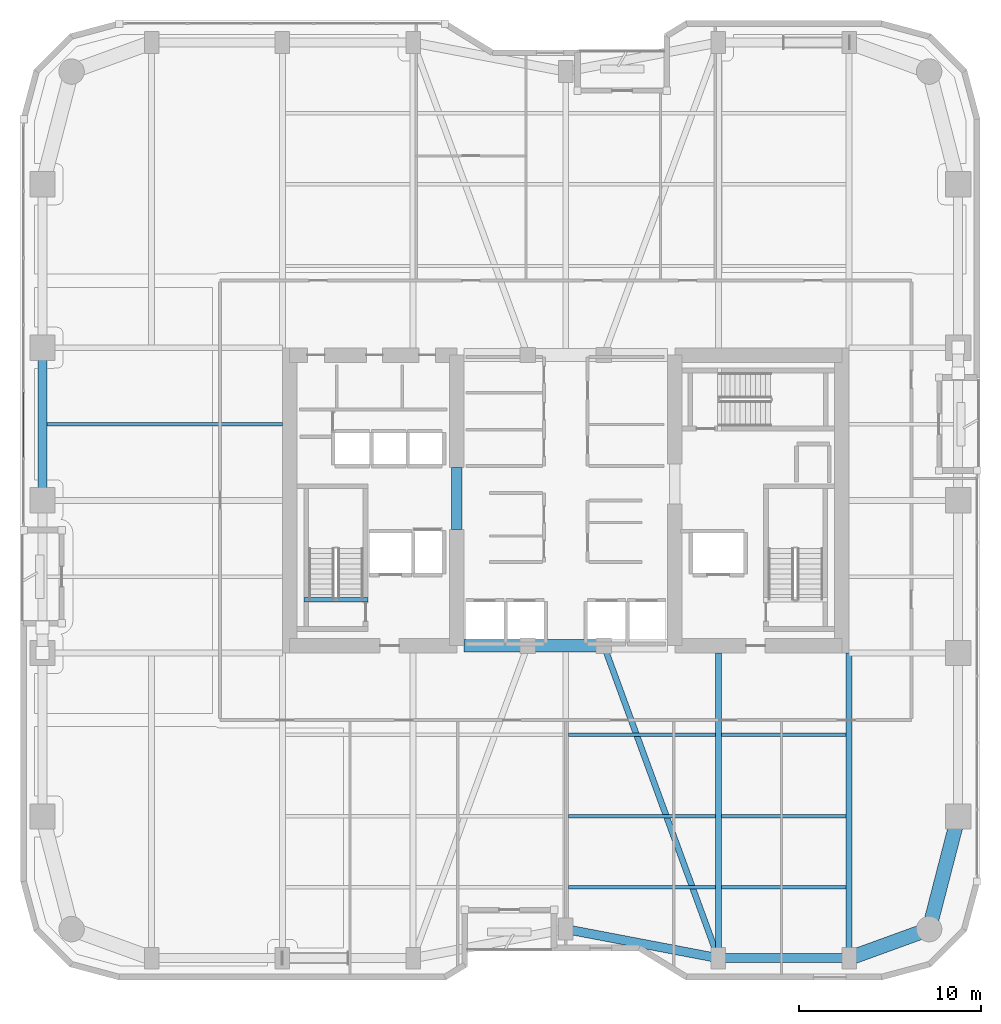
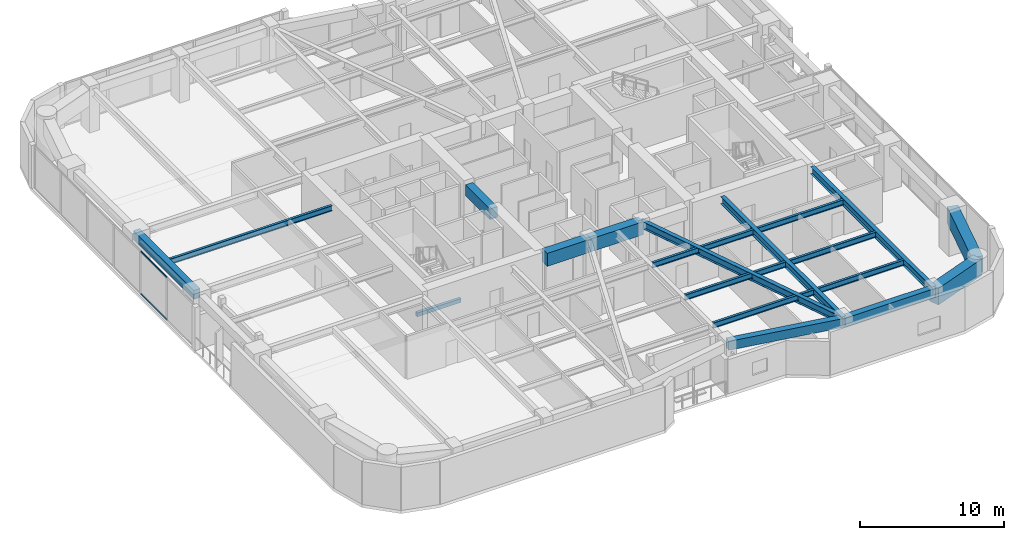
# One storey, part 3 of 24: 19 beams, 2 members, 1 element without a shape of its own.
"""IFC4 building model written with IfcOpenShell, lengths in metres."""

import ifcopenshell
import ifcopenshell.guid

model = None  # the IFC model being written
_history = None  # IfcOwnerHistory: only IFC2X3 demands one
_inside = {}  # id of a spatial element -> (the spatial element, [elements in it])
_under = {}  # id of a project, library or spatial element -> (it, [spatial elements below it])
_declared = {}  # id of a project -> (the project, [libraries it declares])
_typed = {}  # id of a type object -> (the type object, [elements of that type])
_made_of = {}  # id of a material, layer set ... -> (it, [elements and type objects made of it])


def new_model(schema):
    """Start an empty IFC model of exactly this schema.

    Asked for "IFC4X3", IfcOpenShell would pick the latest addendum, in which some entities
    have other attributes; the version numbers below select the first issue.
    IFC2X3 requires an IfcOwnerHistory on every rooted entity: one is made here for all.
    """
    global model, _history
    if schema == "IFC4X3":
        model = ifcopenshell.file(schema_version=(4, 3, 0, 0))
    else:
        model = ifcopenshell.file(schema=schema)
    _inside.clear()
    _under.clear()
    _declared.clear()
    _typed.clear()
    _made_of.clear()
    _history = None
    if model.schema == "IFC2X3":
        org = make("IfcOrganization", Name="unknown")
        user = make(
            "IfcPersonAndOrganization",
            ThePerson=make("IfcPerson", FamilyName="unknown"),
            TheOrganization=org,
        )
        app = make(
            "IfcApplication",
            ApplicationDeveloper=org,
            Version="unknown",
            ApplicationFullName="unknown",
            ApplicationIdentifier="unknown",
        )
        _history = make(
            "IfcOwnerHistory",
            OwningUser=user,
            OwningApplication=app,
            ChangeAction="ADDED",
            CreationDate=0,
        )
    return model


def make(cls, **values):
    """One entity of the class cls with the attributes given. An attribute that is None is left unset."""
    return model.create_entity(
        cls, **{name: value for name, value in values.items() if value is not None}
    )


def rooted(cls, **values):
    """An entity with a GlobalId (a new one), such as an element, a storey or a relation."""
    return make(cls, GlobalId=ifcopenshell.guid.new(), OwnerHistory=_history, **values)


def si_unit(unit_type, name, prefix=None):
    """IfcSIUnit, for example si_unit("LENGTHUNIT", "METRE", prefix="MILLI")."""
    return make("IfcSIUnit", UnitType=unit_type, Prefix=prefix, Name=name)


def assignment(units):
    """IfcUnitAssignment: the units of a project."""
    return None if units is None else make("IfcUnitAssignment", Units=units)


def point(xyz):
    """IfcCartesianPoint."""
    return None if xyz is None else make("IfcCartesianPoint", Coordinates=xyz)


def direction(xyz):
    """IfcDirection."""
    return None if xyz is None else make("IfcDirection", DirectionRatios=xyz)


def frame(location, z_axis=None, x_axis=None):
    """IfcAxis2Placement3D, a coordinate frame: its origin and axes. An axis left out is left unset."""
    return make(
        "IfcAxis2Placement3D",
        Location=point(location),
        Axis=direction(z_axis),
        RefDirection=direction(x_axis),
    )


def frame_2d(location, x_axis=None):
    """IfcAxis2Placement2D, a coordinate frame in the plane: its origin and x axis."""
    return make(
        "IfcAxis2Placement2D", Location=point(location), RefDirection=direction(x_axis)
    )


def origin():
    """The frame at (0, 0, 0) with its axes left unset."""
    return frame((0.0, 0.0, 0.0))


def origin_2d():
    """The frame at (0, 0) in the plane with its x axis left unset."""
    return frame_2d((0.0, 0.0))


def place(relative_to, where):
    """IfcLocalPlacement: puts the frame where relative to a parent placement (None: the world)."""
    return make(
        "IfcLocalPlacement", PlacementRelTo=relative_to, RelativePlacement=where
    )


def context(
    kind, dimensions, precision=None, world=None, true_north=None, identifier=None
):
    """IfcGeometricRepresentationContext, for example the 3D "Model" context."""
    return make(
        "IfcGeometricRepresentationContext",
        ContextIdentifier=identifier,
        ContextType=kind,
        CoordinateSpaceDimension=dimensions,
        Precision=precision,
        WorldCoordinateSystem=world,
        TrueNorth=true_north,
    )


def subcontext(parent, identifier, kind, view, scale=None):
    """IfcGeometricRepresentationSubContext, for example "Body" below "Model"."""
    return make(
        "IfcGeometricRepresentationSubContext",
        ContextIdentifier=identifier,
        ContextType=kind,
        ParentContext=parent,
        TargetScale=scale,
        TargetView=view,
    )


def project(units=None, contexts=None):
    """IfcProject with its units and contexts."""
    return rooted(
        "IfcProject",
        Name="project",
        RepresentationContexts=contexts,
        UnitsInContext=assignment(units),
    )


def spatial(cls, under=None, at=None, **own):
    """A site, building, storey or space (cls), placed at a placement, below another one or the project."""
    s = rooted(cls, ObjectPlacement=at, **own)
    if under is not None:
        _under.setdefault(under.id(), (under, []))[1].append(s)
    return s


def profile(cls, at=None, kind="AREA", **sizes):
    """A parametric profile (cls). Its sizes go by their IFC names, for example OverallWidth=200.0."""
    return make(cls, ProfileType=kind, Position=at, **sizes)


def rectangle(**sizes):
    """IfcRectangleProfileDef."""
    return profile("IfcRectangleProfileDef", **sizes)


def hollow_rectangle(**sizes):
    """IfcRectangleHollowProfileDef."""
    return profile("IfcRectangleHollowProfileDef", **sizes)


def i_section(**sizes):
    """IfcIShapeProfileDef."""
    return profile("IfcIShapeProfileDef", **sizes)


def extrude(swept, where, along, depth):
    """IfcExtrudedAreaSolid: the profile swept, set in the frame where, extruded along a direction by depth."""
    return make(
        "IfcExtrudedAreaSolid",
        SweptArea=swept,
        Position=where,
        ExtrudedDirection=direction(along),
        Depth=depth,
    )


def shape(context_of_items, identifier, shape_type, items):
    """IfcShapeRepresentation: the items that make up one representation, for example the "Body"."""
    return make(
        "IfcShapeRepresentation",
        ContextOfItems=context_of_items,
        RepresentationIdentifier=identifier,
        RepresentationType=shape_type,
        Items=items,
    )


def material(Name=None, Category=None):
    """IfcMaterial."""
    return make("IfcMaterial", Name=Name, Category=Category)


def layer(
    of_material, thickness, ventilated=None, Name=None, Category=None, Priority=None
):
    """IfcMaterialLayer: one layer of a wall or slab, of a material (None: an air gap)."""
    return make(
        "IfcMaterialLayer",
        Material=of_material,
        LayerThickness=thickness,
        IsVentilated=ventilated,
        Name=Name,
        Category=Category,
        Priority=Priority,
    )


def layer_set(layers, Name=None):
    """IfcMaterialLayerSet."""
    return make("IfcMaterialLayerSet", MaterialLayers=layers, LayerSetName=Name)


def material_profile(
    of_material, cross_section, Name=None, Category=None, Priority=None
):
    """IfcMaterialProfile: a cross section and its material."""
    return make(
        "IfcMaterialProfile",
        Name=Name,
        Material=of_material,
        Profile=cross_section,
        Priority=Priority,
        Category=Category,
    )


def profile_set(profiles, Name=None, composite=None):
    """IfcMaterialProfileSet."""
    return make(
        "IfcMaterialProfileSet",
        Name=Name,
        MaterialProfiles=profiles,
        CompositeProfile=composite,
    )


def made_of(thing, what):
    """Note that an element or type object is made of a material, layer set ...; save() writes the relation."""
    if what is not None:
        _made_of.setdefault(what.id(), (what, []))[1].append(thing)
    return thing


def type_object(cls, material=None, **own):
    """A type object (cls), such as IfcWallType, which elements share."""
    return made_of(rooted(cls, **own), material)


def element(
    cls,
    number,
    at=None,
    inside=None,
    cuts=None,
    type_object=None,
    material=None,
    context=None,
    identifier="Body",
    shape_type=None,
    held_by="IfcProductDefinitionShape",
    body=None,
    shapes=None,
    **own,
):
    """One element of the class cls, such as IfcWall. Its Tag is "e" and its number.

    at: its placement. inside: the storey or other place that contains it. cuts: it is an
    opening in that element (IfcRelVoidsElement). A single representation is given by context,
    identifier, shape_type and body (its items); several are given by shapes. held_by: the class
    of the entity that holds the representations. save() writes the other relations.
    """
    e = rooted(cls, Tag="e%d" % number, ObjectPlacement=at, **own)
    if body is not None:
        shapes = [shape(context, identifier, shape_type, body)]
    if shapes is not None:
        e.Representation = make(held_by, Representations=shapes)
    if inside is not None:
        _inside.setdefault(inside.id(), (inside, []))[1].append(e)
    if cuts is not None:
        rooted(
            "IfcRelVoidsElement", RelatingBuildingElement=cuts, RelatedOpeningElement=e
        )
    if type_object is not None:
        _typed.setdefault(type_object.id(), (type_object, []))[1].append(e)
    return made_of(e, material)


def aggregate(whole, parts):
    """IfcRelAggregates: a whole, such as a stair, and the parts it consists of."""
    return rooted("IfcRelAggregates", RelatingObject=whole, RelatedObjects=parts)


def save(model, path):
    """Write the relations noted so far, then the file.

    IfcRelAggregates (storeys below a building ...), IfcRelContainedInSpatialStructure (elements
    in a storey), IfcRelDefinesByType, IfcRelAssociatesMaterial and IfcRelDeclares: one each for
    every whole, place, type object, material and project.
    """
    for whole, parts in _under.values():
        aggregate(whole, parts)
    for where, things in _inside.values():
        rooted(
            "IfcRelContainedInSpatialStructure",
            RelatedElements=things,
            RelatingStructure=where,
        )
    for kind, things in _typed.values():
        rooted("IfcRelDefinesByType", RelatedObjects=things, RelatingType=kind)
    for what, things in _made_of.values():
        rooted("IfcRelAssociatesMaterial", RelatedObjects=things, RelatingMaterial=what)
    for by, libraries in _declared.values():
        rooted("IfcRelDeclares", RelatingContext=by, RelatedDefinitions=libraries)
    model.write(path)


model = new_model("IFC4")

# Units and contexts
model_context = context("Model", 3, precision=1e-05, world=origin(), true_north=direction((0.0, 1.0)))
body_context = subcontext(model_context, "Body", "Model", "MODEL_VIEW")
ifc_project = project(units=[si_unit("LENGTHUNIT", "METRE"), si_unit("AREAUNIT", "SQUARE_METRE"), si_unit("VOLUMEUNIT", "CUBIC_METRE"), si_unit("PLANEANGLEUNIT", "RADIAN"), si_unit("MASSUNIT", "GRAM", prefix="KILO")], contexts=[model_context])

# Site, building, storey
site_placement = place(None, origin())
site = spatial("IfcSite", under=ifc_project, at=site_placement, CompositionType="ELEMENT")
building_placement = place(site_placement, origin())
building = spatial("IfcBuilding", under=site, at=building_placement, Name="Kiyonajd Concourse Tower", CompositionType="ELEMENT")
storey_placement = place(building_placement, frame((0.0, 0.0, 97.5)))
storey = spatial("IfcBuildingStorey", under=building, at=storey_placement, Name="L25", CompositionType="ELEMENT", Elevation=97.5)

# Beams
ifc_material_1 = material(Name="Concrete C70/85", Category="concrete")
ifc_material_profile_1 = material_profile(ifc_material_1, rectangle(XDim=0.699951171875, YDim=1.10009765625, at=origin_2d()), Name="RCBM-700x1100")
ifc_profile_set_1 = profile_set([ifc_material_profile_1], Name="Concrete C70/85")
beam_type_1 = type_object("IfcBeamType", Name="BM-COUP-1100", PredefinedType="LINTEL", material=ifc_profile_set_1)
beam_1_placement = place(storey_placement, frame((42.39990234375, 28.0, 3.090087890625), z_axis=(1.0, 0.0, 0.0), x_axis=(0.0, 1.0, 0.0)))
element("IfcBeam", 1, at=beam_1_placement, inside=storey, type_object=beam_type_1, Name="L25 Core Coupling Beam S1", PredefinedType="LINTEL", context=body_context, shape_type="SweptSolid", body=[
    extrude(rectangle(XDim=0.699951171875, YDim=1.10009765625, at=origin_2d()), origin(), (0.0, 0.0, 1.0), 3.5),
])
beam_2_placement = place(storey_placement, frame((45.89990234375, 28.0, 3.090087890625), z_axis=(1.0, 0.0, 0.0), x_axis=(0.0, 1.0, 0.0)))
element("IfcBeam", 2, at=beam_2_placement, inside=storey, type_object=beam_type_1, Name="L25 Core Coupling Beam S2", PredefinedType="LINTEL", context=body_context, shape_type="SweptSolid", body=[
    extrude(rectangle(XDim=0.699951171875, YDim=1.10009765625, at=origin_2d()), origin(), (0.0, 0.0, 1.0), 4.2001953125),
])
ifc_material_2 = material(Name="Concrete C60/75", Category="concrete")
ifc_material_profile_2 = material_profile(ifc_material_2, rectangle(XDim=0.60009765625, YDim=0.89990234375, at=origin_2d()), Name="RCBM-600x900")
ifc_profile_set_2 = profile_set([ifc_material_profile_2], Name="Concrete C60/75")
beam_type_2 = type_object("IfcBeamType", Name="BM-COUP-900", PredefinedType="LINTEL", material=ifc_profile_set_2)
beam_3_placement = place(storey_placement, frame((42.0, 34.39990234375, 3.090087890625), z_axis=(0.0, 1.0, 0.0), x_axis=(-1.0, 0.0, 0.0)))
element("IfcBeam", 3, at=beam_3_placement, inside=storey, type_object=beam_type_2, Name="L25 West Core Throat Coupling Lintel", PredefinedType="LINTEL", context=body_context, shape_type="SweptSolid", body=[
    extrude(rectangle(XDim=0.60009765625, YDim=0.89990234375, at=origin_2d()), origin(), (0.0, 0.0, 1.0), 3.400146484375),
])
ifc_material_3 = material(Name="Steel ASTM A992 Grade 50", Category="steel")
ifc_material_profile_3 = material_profile(ifc_material_3, i_section(OverallWidth=0.19189453125, OverallDepth=0.462890625, WebThickness=0.010498046875, FlangeThickness=0.017578125, at=origin_2d()), Name="W460X89")
ifc_profile_set_3 = profile_set([ifc_material_profile_3], Name="Steel ASTM A992 Grade 50")
beam_type_3 = type_object("IfcBeamType", Name="BM-JST-460B", PredefinedType="JOIST", material=ifc_profile_set_3)
beam_4_placement = place(storey_placement, frame((48.16357421875, 14.699951171875, 3.408447265625), z_axis=(1.0, 0.0, 0.0), x_axis=(0.0, 1.0, 0.0)))
element("IfcBeam", 4, at=beam_4_placement, inside=storey, type_object=beam_type_3, Name="L25 Secondary Floor Joist", PredefinedType="JOIST", context=body_context, shape_type="SweptSolid", body=[
    extrude(i_section(OverallWidth=0.19189453125, OverallDepth=0.462890625, WebThickness=0.010498046875, FlangeThickness=0.017578125, at=origin_2d()), origin(), (0.0, 0.0, 1.0), 8.072998046875),
])
beam_5_placement = place(storey_placement, frame((56.5634765625, 14.699951171875, 3.408447265625), z_axis=(1.0, 0.0, 0.0), x_axis=(0.0, 1.0, 0.0)))
element("IfcBeam", 5, at=beam_5_placement, inside=storey, type_object=beam_type_3, Name="L25 Secondary Floor Joist", PredefinedType="JOIST", context=body_context, shape_type="SweptSolid", body=[
    extrude(i_section(OverallWidth=0.19189453125, OverallDepth=0.462890625, WebThickness=0.010498046875, FlangeThickness=0.017578125, at=origin_2d()), origin(), (0.0, 0.0, 1.0), 6.873046875),
])
beam_6_placement = place(storey_placement, frame((48.16357421875, 18.60009765625, 3.408447265625), z_axis=(1.0, 0.0, 0.0), x_axis=(0.0, 1.0, 0.0)))
element("IfcBeam", 6, at=beam_6_placement, inside=storey, type_object=beam_type_3, Name="L25 Secondary Floor Joist", PredefinedType="JOIST", context=body_context, shape_type="SweptSolid", body=[
    extrude(i_section(OverallWidth=0.19189453125, OverallDepth=0.462890625, WebThickness=0.010498046875, FlangeThickness=0.017578125, at=origin_2d()), origin(), (0.0, 0.0, 1.0), 8.072998046875),
])
beam_7_placement = place(storey_placement, frame((56.5634765625, 18.60009765625, 3.408447265625), z_axis=(1.0, 0.0, 0.0), x_axis=(0.0, 1.0, 0.0)))
element("IfcBeam", 7, at=beam_7_placement, inside=storey, type_object=beam_type_3, Name="L25 Secondary Floor Joist", PredefinedType="JOIST", context=body_context, shape_type="SweptSolid", body=[
    extrude(i_section(OverallWidth=0.19189453125, OverallDepth=0.462890625, WebThickness=0.010498046875, FlangeThickness=0.017578125, at=origin_2d()), origin(), (0.0, 0.0, 1.0), 6.873046875),
])
beam_8_placement = place(storey_placement, frame((48.16357421875, 23.10009765625, 3.408447265625), z_axis=(1.0, 0.0, 0.0), x_axis=(0.0, 1.0, 0.0)))
element("IfcBeam", 8, at=beam_8_placement, inside=storey, type_object=beam_type_3, Name="L25 Secondary Floor Joist", PredefinedType="JOIST", context=body_context, shape_type="SweptSolid", body=[
    extrude(i_section(OverallWidth=0.19189453125, OverallDepth=0.462890625, WebThickness=0.010498046875, FlangeThickness=0.017578125, at=origin_2d()), origin(), (0.0, 0.0, 1.0), 8.072998046875),
])
beam_9_placement = place(storey_placement, frame((56.5634765625, 23.10009765625, 3.408447265625), z_axis=(1.0, 0.0, 0.0), x_axis=(0.0, 1.0, 0.0)))
element("IfcBeam", 9, at=beam_9_placement, inside=storey, type_object=beam_type_3, Name="L25 Secondary Floor Joist", PredefinedType="JOIST", context=body_context, shape_type="SweptSolid", body=[
    extrude(i_section(OverallWidth=0.19189453125, OverallDepth=0.462890625, WebThickness=0.010498046875, FlangeThickness=0.017578125, at=origin_2d()), origin(), (0.0, 0.0, 1.0), 6.873046875),
])
beam_10_placement = place(storey_placement, frame((19.449951171875, 40.199951171875, 3.408447265625), z_axis=(1.0, 0.0, 0.0), x_axis=(0.0, 1.0, 0.0)))
element("IfcBeam", 10, at=beam_10_placement, inside=storey, type_object=beam_type_3, Name="L25 West Secondary Floor Joist", PredefinedType="JOIST", context=body_context, shape_type="SweptSolid", body=[
    extrude(i_section(OverallWidth=0.19189453125, OverallDepth=0.462890625, WebThickness=0.010498046875, FlangeThickness=0.017578125, at=origin_2d()), origin(), (0.0, 0.0, 1.0), 12.949951171875),
])
ifc_material_4 = material(Name="Concrete C50/60", Category="concrete")
ifc_material_profile_4 = material_profile(ifc_material_4, rectangle(XDim=0.239990234375, YDim=0.320068359375, at=origin_2d()), Name="RCBM-240x320")
ifc_profile_set_4 = profile_set([ifc_material_profile_4], Name="Concrete C50/60")
beam_type_4 = type_object("IfcBeamType", Name="BM-LNT-250", PredefinedType="LINTEL", material=ifc_profile_set_4)
beam_11_placement = place(storey_placement, frame((33.590087890625, 30.530029296875, -0.159912109375), z_axis=(1.0, 0.0, 0.0), x_axis=(0.0, 1.0, 0.0)))
element("IfcBeam", 11, at=beam_11_placement, inside=storey, type_object=beam_type_4, Name="L25 Stair ST1 Threshold Support Beam", PredefinedType="LINTEL", context=body_context, shape_type="SweptSolid", body=[
    extrude(rectangle(XDim=0.239990234375, YDim=0.320068359375, at=origin_2d()), origin(), (0.0, 0.0, 1.0), 3.52001953125),
])
ifc_material_5 = material(Name="Precast concrete C50/60", Category="concrete")
ifc_material_profile_5 = material_profile(ifc_material_5, rectangle(XDim=0.5, YDim=0.75, at=origin_2d()), Name="RCBM-500x750")
ifc_profile_set_5 = profile_set([ifc_material_profile_5], Name="Precast concrete C50/60")
beam_type_5 = type_object("IfcBeamType", Name="BM-SPAN-RC", PredefinedType="SPANDREL", material=ifc_profile_set_5)
beam_12_placement = place(storey_placement, frame((48.0, 12.39990234375, 3.264892578125), z_axis=(0.982341315253, -0.187097675953, 0.0), x_axis=(0.187097675953, 0.982341315253, 0.0)))
element("IfcBeam", 12, at=beam_12_placement, inside=storey, type_object=beam_type_5, Name="L25 Perimeter Bundled Tube Spandrel", PredefinedType="SPANDREL", context=body_context, shape_type="SweptSolid", body=[
    extrude(rectangle(XDim=0.5, YDim=0.75, at=origin_2d()), origin(), (0.0, 0.0, 1.0), 8.55078125),
])
beam_13_placement = place(storey_placement, frame((56.39990234375, 10.800048828125, 3.264892578125), z_axis=(1.0, 0.0, 0.0), x_axis=(0.0, 1.0, 0.0)))
element("IfcBeam", 13, at=beam_13_placement, inside=storey, type_object=beam_type_5, Name="L25 Perimeter Bundled Tube Spandrel", PredefinedType="SPANDREL", context=body_context, shape_type="SweptSolid", body=[
    extrude(rectangle(XDim=0.5, YDim=0.75, at=origin_2d()), origin(), (0.0, 0.0, 1.0), 7.2001953125),
])
beam_14_placement = place(storey_placement, frame((19.199951171875, 44.39990234375, 3.264892578125), z_axis=(0.0, -1.0, 0.0), x_axis=(1.0, 0.0, 0.0)))
element("IfcBeam", 14, at=beam_14_placement, inside=storey, type_object=beam_type_5, Name="L25 Perimeter Bundled Tube Spandrel", PredefinedType="SPANDREL", context=body_context, shape_type="SweptSolid", body=[
    extrude(rectangle(XDim=0.5, YDim=0.75, at=origin_2d()), origin(), (0.0, 0.0, 1.0), 8.39990234375),
])
ifc_material_profile_6 = material_profile(ifc_material_3, i_section(OverallWidth=0.326904296875, OverallDepth=0.6220703125, WebThickness=0.015380859375, FlangeThickness=0.0244140625, at=origin_2d()), Name="W610X195")
ifc_profile_set_6 = profile_set([ifc_material_profile_6], Name="Steel ASTM A992 Grade 50")
beam_type_6 = type_object("IfcBeamType", Name="BM-TWR-610A", PredefinedType="BEAM", material=ifc_profile_set_6)
beam_15_placement = place(storey_placement, frame((50.10009765625, 28.0, 3.3291015625), z_axis=(0.343925269715, -0.938997022813, 0.0), x_axis=(0.938997022813, 0.343925269715, 0.0)))
element("IfcBeam", 15, at=beam_15_placement, inside=storey, type_object=beam_type_6, Name="L25 Core Tie Girder", PredefinedType="BEAM", context=body_context, shape_type="SweptSolid", body=[
    extrude(i_section(OverallWidth=0.326904296875, OverallDepth=0.6220703125, WebThickness=0.015380859375, FlangeThickness=0.0244140625, at=origin_2d()), origin(), (0.0, 0.0, 1.0), 18.3173828125),
])
for number, where, z_axis, x_axis, name in (
    (16, (56.39990234375, 10.800048828125, 3.3291015625), (0.0, 1.0, 0.0), (-1.0, 0.0, 0.0), "L25 South Lease Girder"),
    (17, (63.60009765625, 10.800048828125, 3.3291015625), (0.0, 1.0, 0.0), (-1.0, 0.0, 0.0), "L25 South Lease Girder"),
):
    element("IfcBeam", number, at=place(storey_placement, frame(where, z_axis=z_axis, x_axis=x_axis)), inside=storey, type_object=beam_type_6, Name=name, PredefinedType="BEAM", context=body_context, shape_type="SweptSolid", body=[
        extrude(i_section(OverallWidth=0.326904296875, OverallDepth=0.6220703125, WebThickness=0.015380859375, FlangeThickness=0.0244140625, at=origin_2d()), origin(), (0.0, 0.0, 1.0), 16.800048828125),
    ])
ifc_material_profile_7 = material_profile(ifc_material_2, rectangle(XDim=0.800048828125, YDim=1.39990234375, at=origin_2d()), Name="RCBM-800x1400")
ifc_profile_set_7 = profile_set([ifc_material_profile_7], Name="Concrete C60/75")
beam_type_7 = type_object("IfcBeamType", Name="BM-XFER-RC", PredefinedType="BEAM", material=ifc_profile_set_7)
beam_16_placement = place(storey_placement, frame((63.60009765625, 10.800048828125, 2.93994140625), z_axis=(0.939801036019, 0.341722127901, 0.0), x_axis=(-0.341722127901, 0.939801036019, 0.0)))
element("IfcBeam", 18, at=beam_16_placement, inside=storey, type_object=beam_type_7, Name="L25 Perimeter Bundled Tube Spandrel", PredefinedType="BEAM", context=body_context, shape_type="SweptSolid", body=[
    extrude(rectangle(XDim=0.800048828125, YDim=1.39990234375, at=origin_2d()), origin(), (0.0, 0.0, 1.0), 4.681640625),
])
beam_17_placement = place(storey_placement, frame((68.0, 12.39990234375, 2.93994140625), z_axis=(0.249884937687, 0.968275538221, 0.0), x_axis=(-0.968275538221, 0.249884937687, 0.0)))
element("IfcBeam", 19, at=beam_17_placement, inside=storey, type_object=beam_type_7, Name="L25 Perimeter Bundled Tube Spandrel", PredefinedType="BEAM", context=body_context, shape_type="SweptSolid", body=[
    extrude(rectangle(XDim=0.800048828125, YDim=1.39990234375, at=origin_2d()), origin(), (0.0, 0.0, 1.0), 6.4033203125),
])

# Curtain wall, members
ifc_material_6 = material(Name="Thermally Broken Anodised Aluminium", Category="aluminium")
ifc_layer = layer(ifc_material_6, 0.179931640625)
ifc_layer_set = layer_set([ifc_layer], Name="Thermally Broken Anodised Aluminium")
curtain_wall_type = type_object("IfcCurtainWallType", Name="CW-SYS-03", PredefinedType="NOTDEFINED", material=ifc_layer_set)
curtain_wall_placement = place(storey_placement, origin())
curtain_wall = element("IfcCurtainWall", 20, at=curtain_wall_placement, inside=storey, type_object=curtain_wall_type, Name="L25 Unitised Curtain Wall CW3", PredefinedType="NOTDEFINED")
ifc_material_profile_8 = material_profile(ifc_material_6, hollow_rectangle(XDim=0.06494140625, YDim=0.139892578125, WallThickness=0.00390625, at=origin_2d()), Name="TRAN-65x140")
ifc_profile_set_8 = profile_set([ifc_material_profile_8], Name="Thermally Broken Anodised Aluminium")
member_type = type_object("IfcMemberType", Name="MB-CW-TRAN1", PredefinedType="USERDEFINED", material=ifc_profile_set_8)
member_1_placement = place(storey_placement, frame((18.159912109375, 38.355712890625, 0.032470703125), z_axis=(0.0, 1.0, 0.0), x_axis=(-1.0, 0.0, 0.0)))
member_1 = element("IfcMember", 21, at=member_1_placement, type_object=member_type, Name="CW3 transom 2.1", ObjectType="TRANSOM", PredefinedType="USERDEFINED", context=body_context, shape_type="SweptSolid", body=[
    extrude(hollow_rectangle(XDim=0.06494140625, YDim=0.139892578125, WallThickness=0.00390625, at=origin_2d()), origin(), (0.0, 0.0, 1.0), 3.608154296875),
])
member_2_placement = place(storey_placement, frame((18.159912109375, 38.355712890625, 3.607421875), z_axis=(0.0, 1.0, 0.0), x_axis=(-1.0, 0.0, 0.0)))
member_2 = element("IfcMember", 22, at=member_2_placement, type_object=member_type, Name="CW3 transom 2.2", ObjectType="TRANSOM", PredefinedType="USERDEFINED", context=body_context, shape_type="SweptSolid", body=[
    extrude(hollow_rectangle(XDim=0.06494140625, YDim=0.139892578125, WallThickness=0.00390625, at=origin_2d()), origin(), (0.0, 0.0, 1.0), 3.608154296875),
])
aggregate(curtain_wall, [member_1, member_2])

save(model, "model.ifc")
